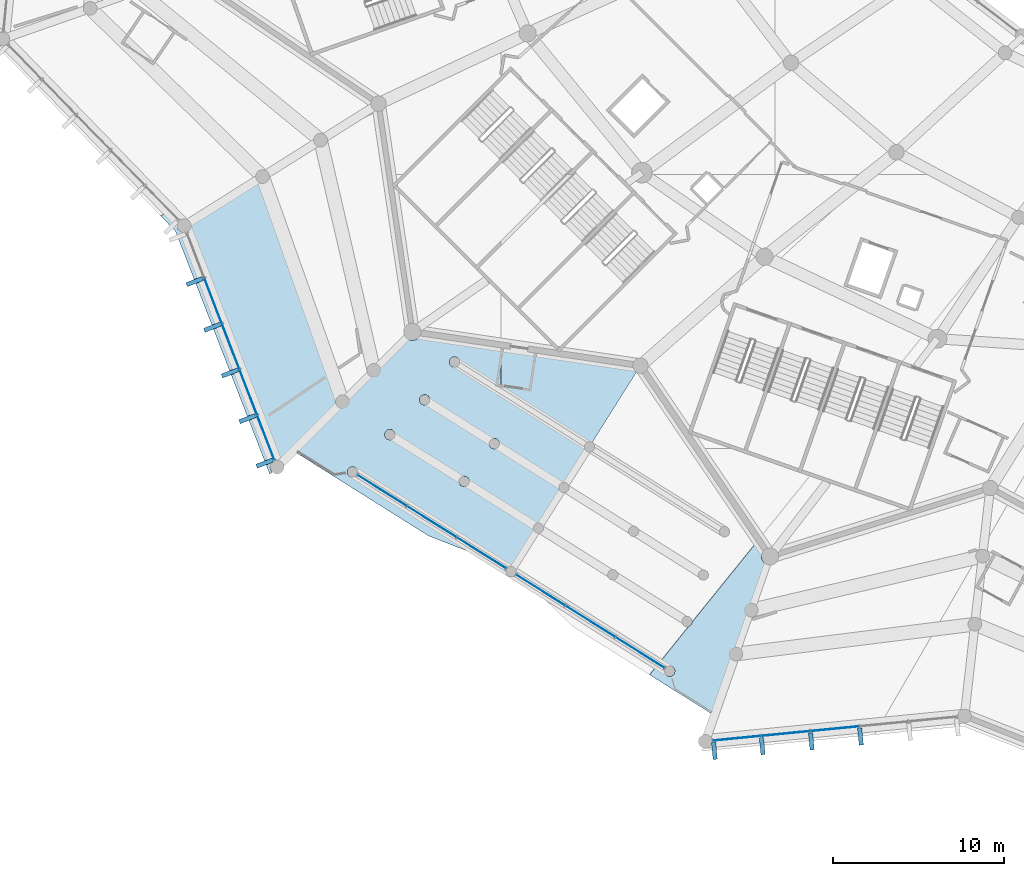
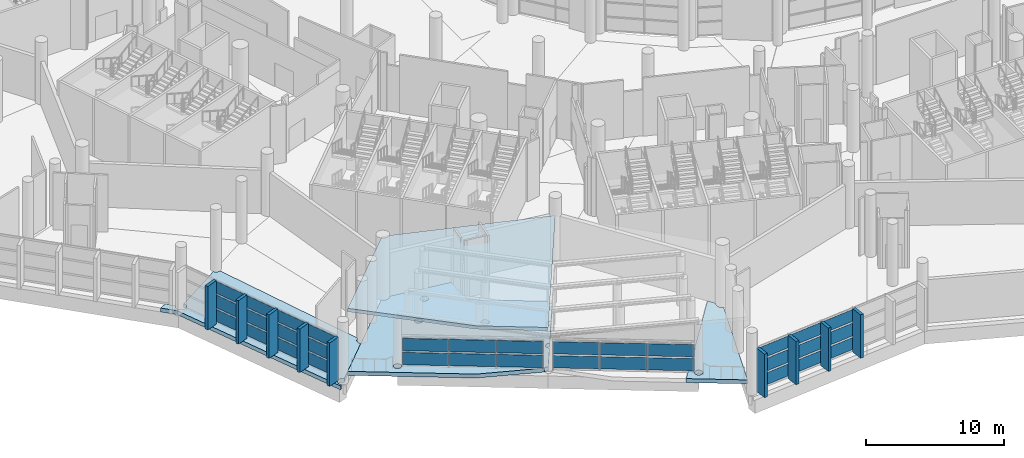
# One storey, part 113 of 271: 42 plates, 4 slabs, 4 elements without a shape of their own.
"""IFC4 building model written with IfcOpenShell, lengths in metres."""

import ifcopenshell
import ifcopenshell.guid

model = None  # the IFC model being written
_history = None  # IfcOwnerHistory: only IFC2X3 demands one
_inside = {}  # id of a spatial element -> (the spatial element, [elements in it])
_under = {}  # id of a project, library or spatial element -> (it, [spatial elements below it])
_declared = {}  # id of a project -> (the project, [libraries it declares])
_typed = {}  # id of a type object -> (the type object, [elements of that type])
_made_of = {}  # id of a material, layer set ... -> (it, [elements and type objects made of it])


def new_model(schema):
    """Start an empty IFC model of exactly this schema.

    Asked for "IFC4X3", IfcOpenShell would pick the latest addendum, in which some entities
    have other attributes; the version numbers below select the first issue.
    IFC2X3 requires an IfcOwnerHistory on every rooted entity: one is made here for all.
    """
    global model, _history
    if schema == "IFC4X3":
        model = ifcopenshell.file(schema_version=(4, 3, 0, 0))
    else:
        model = ifcopenshell.file(schema=schema)
    _inside.clear()
    _under.clear()
    _declared.clear()
    _typed.clear()
    _made_of.clear()
    _history = None
    if model.schema == "IFC2X3":
        org = make("IfcOrganization", Name="unknown")
        user = make(
            "IfcPersonAndOrganization",
            ThePerson=make("IfcPerson", FamilyName="unknown"),
            TheOrganization=org,
        )
        app = make(
            "IfcApplication",
            ApplicationDeveloper=org,
            Version="unknown",
            ApplicationFullName="unknown",
            ApplicationIdentifier="unknown",
        )
        _history = make(
            "IfcOwnerHistory",
            OwningUser=user,
            OwningApplication=app,
            ChangeAction="ADDED",
            CreationDate=0,
        )
    return model


def make(cls, **values):
    """One entity of the class cls with the attributes given. An attribute that is None is left unset."""
    return model.create_entity(
        cls, **{name: value for name, value in values.items() if value is not None}
    )


def rooted(cls, **values):
    """An entity with a GlobalId (a new one), such as an element, a storey or a relation."""
    return make(cls, GlobalId=ifcopenshell.guid.new(), OwnerHistory=_history, **values)


def si_unit(unit_type, name, prefix=None):
    """IfcSIUnit, for example si_unit("LENGTHUNIT", "METRE", prefix="MILLI")."""
    return make("IfcSIUnit", UnitType=unit_type, Prefix=prefix, Name=name)


def assignment(units):
    """IfcUnitAssignment: the units of a project."""
    return None if units is None else make("IfcUnitAssignment", Units=units)


def point(xyz):
    """IfcCartesianPoint."""
    return None if xyz is None else make("IfcCartesianPoint", Coordinates=xyz)


def direction(xyz):
    """IfcDirection."""
    return None if xyz is None else make("IfcDirection", DirectionRatios=xyz)


def frame(location, z_axis=None, x_axis=None):
    """IfcAxis2Placement3D, a coordinate frame: its origin and axes. An axis left out is left unset."""
    return make(
        "IfcAxis2Placement3D",
        Location=point(location),
        Axis=direction(z_axis),
        RefDirection=direction(x_axis),
    )


def frame_2d(location, x_axis=None):
    """IfcAxis2Placement2D, a coordinate frame in the plane: its origin and x axis."""
    return make(
        "IfcAxis2Placement2D", Location=point(location), RefDirection=direction(x_axis)
    )


def origin():
    """The frame at (0, 0, 0) with its axes left unset."""
    return frame((0.0, 0.0, 0.0))


def origin_2d():
    """The frame at (0, 0) in the plane with its x axis left unset."""
    return frame_2d((0.0, 0.0))


def place(relative_to, where):
    """IfcLocalPlacement: puts the frame where relative to a parent placement (None: the world)."""
    return make(
        "IfcLocalPlacement", PlacementRelTo=relative_to, RelativePlacement=where
    )


def context(
    kind, dimensions, precision=None, world=None, true_north=None, identifier=None
):
    """IfcGeometricRepresentationContext, for example the 3D "Model" context."""
    return make(
        "IfcGeometricRepresentationContext",
        ContextIdentifier=identifier,
        ContextType=kind,
        CoordinateSpaceDimension=dimensions,
        Precision=precision,
        WorldCoordinateSystem=world,
        TrueNorth=true_north,
    )


def subcontext(parent, identifier, kind, view, scale=None):
    """IfcGeometricRepresentationSubContext, for example "Body" below "Model"."""
    return make(
        "IfcGeometricRepresentationSubContext",
        ContextIdentifier=identifier,
        ContextType=kind,
        ParentContext=parent,
        TargetScale=scale,
        TargetView=view,
    )


def project(units=None, contexts=None):
    """IfcProject with its units and contexts."""
    return rooted(
        "IfcProject",
        Name="project",
        RepresentationContexts=contexts,
        UnitsInContext=assignment(units),
    )


def spatial(cls, under=None, at=None, **own):
    """A site, building, storey or space (cls), placed at a placement, below another one or the project."""
    s = rooted(cls, ObjectPlacement=at, **own)
    if under is not None:
        _under.setdefault(under.id(), (under, []))[1].append(s)
    return s


def polyline(points):
    """IfcPolyline through the points."""
    return make("IfcPolyline", Points=[point(p) for p in points])


def profile(cls, at=None, kind="AREA", **sizes):
    """A parametric profile (cls). Its sizes go by their IFC names, for example OverallWidth=200.0."""
    return make(cls, ProfileType=kind, Position=at, **sizes)


def rectangle(**sizes):
    """IfcRectangleProfileDef."""
    return profile("IfcRectangleProfileDef", **sizes)


def outline(outer, holes=None, kind="AREA"):
    """IfcArbitraryClosedProfileDef: a profile drawn as a closed curve; with holes, ...WithVoids."""
    if holes is None:
        return make("IfcArbitraryClosedProfileDef", ProfileType=kind, OuterCurve=outer)
    return make(
        "IfcArbitraryProfileDefWithVoids",
        ProfileType=kind,
        OuterCurve=outer,
        InnerCurves=holes,
    )


def extrude(swept, where, along, depth):
    """IfcExtrudedAreaSolid: the profile swept, set in the frame where, extruded along a direction by depth."""
    return make(
        "IfcExtrudedAreaSolid",
        SweptArea=swept,
        Position=where,
        ExtrudedDirection=direction(along),
        Depth=depth,
    )


def shape(context_of_items, identifier, shape_type, items):
    """IfcShapeRepresentation: the items that make up one representation, for example the "Body"."""
    return make(
        "IfcShapeRepresentation",
        ContextOfItems=context_of_items,
        RepresentationIdentifier=identifier,
        RepresentationType=shape_type,
        Items=items,
    )


def material(Name=None, Category=None):
    """IfcMaterial."""
    return make("IfcMaterial", Name=Name, Category=Category)


def layer(
    of_material, thickness, ventilated=None, Name=None, Category=None, Priority=None
):
    """IfcMaterialLayer: one layer of a wall or slab, of a material (None: an air gap)."""
    return make(
        "IfcMaterialLayer",
        Material=of_material,
        LayerThickness=thickness,
        IsVentilated=ventilated,
        Name=Name,
        Category=Category,
        Priority=Priority,
    )


def layer_set(layers, Name=None):
    """IfcMaterialLayerSet."""
    return make("IfcMaterialLayerSet", MaterialLayers=layers, LayerSetName=Name)


def made_of(thing, what):
    """Note that an element or type object is made of a material, layer set ...; save() writes the relation."""
    if what is not None:
        _made_of.setdefault(what.id(), (what, []))[1].append(thing)
    return thing


def type_object(cls, material=None, **own):
    """A type object (cls), such as IfcWallType, which elements share."""
    return made_of(rooted(cls, **own), material)


def element(
    cls,
    number,
    at=None,
    inside=None,
    cuts=None,
    type_object=None,
    material=None,
    context=None,
    identifier="Body",
    shape_type=None,
    held_by="IfcProductDefinitionShape",
    body=None,
    shapes=None,
    **own,
):
    """One element of the class cls, such as IfcWall. Its Tag is "e" and its number.

    at: its placement. inside: the storey or other place that contains it. cuts: it is an
    opening in that element (IfcRelVoidsElement). A single representation is given by context,
    identifier, shape_type and body (its items); several are given by shapes. held_by: the class
    of the entity that holds the representations. save() writes the other relations.
    """
    e = rooted(cls, Tag="e%d" % number, ObjectPlacement=at, **own)
    if body is not None:
        shapes = [shape(context, identifier, shape_type, body)]
    if shapes is not None:
        e.Representation = make(held_by, Representations=shapes)
    if inside is not None:
        _inside.setdefault(inside.id(), (inside, []))[1].append(e)
    if cuts is not None:
        rooted(
            "IfcRelVoidsElement", RelatingBuildingElement=cuts, RelatedOpeningElement=e
        )
    if type_object is not None:
        _typed.setdefault(type_object.id(), (type_object, []))[1].append(e)
    return made_of(e, material)


def aggregate(whole, parts):
    """IfcRelAggregates: a whole, such as a stair, and the parts it consists of."""
    return rooted("IfcRelAggregates", RelatingObject=whole, RelatedObjects=parts)


def save(model, path):
    """Write the relations noted so far, then the file.

    IfcRelAggregates (storeys below a building ...), IfcRelContainedInSpatialStructure (elements
    in a storey), IfcRelDefinesByType, IfcRelAssociatesMaterial and IfcRelDeclares: one each for
    every whole, place, type object, material and project.
    """
    for whole, parts in _under.values():
        aggregate(whole, parts)
    for where, things in _inside.values():
        rooted(
            "IfcRelContainedInSpatialStructure",
            RelatedElements=things,
            RelatingStructure=where,
        )
    for kind, things in _typed.values():
        rooted("IfcRelDefinesByType", RelatedObjects=things, RelatingType=kind)
    for what, things in _made_of.values():
        rooted("IfcRelAssociatesMaterial", RelatedObjects=things, RelatingMaterial=what)
    for by, libraries in _declared.values():
        rooted("IfcRelDeclares", RelatingContext=by, RelatedDefinitions=libraries)
    model.write(path)


model = new_model("IFC4")

# Units and contexts
model_context = context("Model", 3, precision=1e-05, world=origin(), true_north=direction((0.0, 1.0)))
body_context = subcontext(model_context, "Body", "Model", "MODEL_VIEW")
ifc_project = project(units=[si_unit("LENGTHUNIT", "METRE"), si_unit("AREAUNIT", "SQUARE_METRE"), si_unit("VOLUMEUNIT", "CUBIC_METRE"), si_unit("PLANEANGLEUNIT", "RADIAN"), si_unit("MASSUNIT", "GRAM", prefix="KILO")], contexts=[model_context])

# Site, building, storey
site_placement = place(None, origin())
site = spatial("IfcSite", under=ifc_project, at=site_placement, CompositionType="ELEMENT")
building_placement = place(site_placement, origin())
building = spatial("IfcBuilding", under=site, at=building_placement, Name="Meseta Stadium", CompositionType="ELEMENT")
storey_placement = place(building_placement, frame((0.0, 0.0, 6.5)))
storey = spatial("IfcBuildingStorey", under=building, at=storey_placement, Name="L01", CompositionType="ELEMENT", Elevation=6.5)

# Slabs
ifc_material_1 = material(Name="Concrete C40/50", Category="concrete")
ifc_layer_1 = layer(ifc_material_1, 0.35009765625)
ifc_layer_set_1 = layer_set([ifc_layer_1], Name="Floor slab 350")
slab_type_1 = type_object("IfcSlabType", Name="Floor slab 350", PredefinedType="FLOOR", material=ifc_layer_set_1)
slab_1_placement = place(storey_placement, frame((0.0, 0.0, -0.35009765625)))
element("IfcSlab", 1, at=slab_1_placement, inside=storey, type_object=slab_type_1, Name="Ring floor slab L01 5 part 2 panel 05", PredefinedType="FLOOR", context=body_context, shape_type="SweptSolid", body=[
    extrude(outline(polyline([(-98.900390625, -82.986083984375), (-98.88671875, -82.881591796875), (-98.84619140625, -82.7841796875), (-98.7822265625, -82.70068359375), (-98.77734375, -82.697021484375), (-99.322998046875, -82.135009765625), (-99.877197265625, -82.401611328125), (-99.0048828125, -83.30517578125), (-93.49755859375, -97.49755859375), (-93.3583984375, -97.3583984375), (-93.422607421875, -97.27490234375), (-93.462890625, -97.177490234375), (-93.476806640625, -97.0732421875), (-93.462890625, -96.96875), (-93.422607421875, -96.87158203125), (-93.3583984375, -96.787841796875), (-93.27490234375, -96.723876953125), (-93.217041015625, -96.69970703125), (-93.177490234375, -96.68359375), (-93.0732421875, -96.669921875), (-92.96875, -96.68359375), (-92.87158203125, -96.723876953125), (-92.787841796875, -96.787841796875), (-89.5400390625, -93.5400390625), (-89.604248046875, -93.45654296875), (-89.64453125, -93.359375), (-89.658203125, -93.2548828125), (-89.64453125, -93.150390625), (-89.604248046875, -93.052978515625), (-89.5400390625, -92.969482421875), (-89.45654296875, -92.905517578125), (-89.388916015625, -92.87744140625), (-93.79052734375, -80.490478515625), (-93.8203125, -80.502685546875), (-93.924560546875, -80.5166015625), (-94.029052734375, -80.502685546875), (-94.126220703125, -80.46240234375), (-94.2099609375, -80.398193359375), (-94.264892578125, -80.32666015625), (-98.15673828125, -82.772216796875), (-98.1474609375, -82.7841796875), (-98.107177734375, -82.881591796875), (-98.093505859375, -82.986083984375), (-98.107177734375, -83.09033203125), (-98.1474609375, -83.187744140625), (-98.211669921875, -83.271240234375), (-98.295166015625, -83.33544921875), (-98.392578125, -83.375732421875), (-98.496826171875, -83.389404296875), (-98.601318359375, -83.375732421875), (-98.698486328125, -83.33544921875), (-98.7822265625, -83.271240234375), (-98.84619140625, -83.187744140625), (-98.88671875, -83.09033203125), (-98.900390625, -82.986083984375)])), origin(), (0.0, 0.0, 1.0), 0.35009765625),
])
slab_2_placement = place(storey_placement, frame((0.0, 0.0, -0.35009765625)))
element("IfcSlab", 2, at=slab_2_placement, inside=storey, type_object=slab_type_1, Name="Gate hall floor slab 6 part 1 panel 01", PredefinedType="FLOOR", context=body_context, shape_type="SweptSolid", body=[
    extrude(outline(polyline([(-77.7373046875, -100.341796875), (-77.664306640625, -100.3720703125), (-77.6552734375, -100.37890625), (-76.486083984375, -98.518310546875), (-76.539794921875, -98.477294921875), (-76.587890625, -98.41455078125), (-76.6181640625, -98.341552734375), (-76.62841796875, -98.26318359375), (-76.6181640625, -98.18505859375), (-76.587890625, -98.112060546875), (-76.539794921875, -98.04931640625), (-76.47705078125, -98.001220703125), (-76.404052734375, -97.970947265625), (-76.32568359375, -97.960693359375), (-76.24755859375, -97.970947265625), (-76.174560546875, -98.001220703125), (-76.16552734375, -98.008056640625), (-74.996337890625, -96.147705078125), (-75.050048828125, -96.1064453125), (-75.09814453125, -96.043701171875), (-75.12841796875, -95.970703125), (-75.138671875, -95.892578125), (-75.12841796875, -95.814208984375), (-75.09814453125, -95.7412109375), (-75.09130859375, -95.732177734375), (-80.0, -92.647705078125), (-80.0, -90.123779296875), (-84.73486328125, -89.4208984375), (-84.737060546875, -89.42578125), (-84.817138671875, -89.5302734375), (-84.921630859375, -89.610595703125), (-85.043212890625, -89.660888671875), (-85.173583984375, -89.677978515625), (-85.30419921875, -89.660888671875), (-85.42578125, -89.610595703125), (-85.5302734375, -89.5302734375), (-92.12841796875, -96.12841796875), (-84.220458984375, -101.09765625), (-79.5537109375, -102.908447265625), (-79.489990234375, -102.882080078125), (-79.41162109375, -102.87158203125), (-79.333251953125, -102.882080078125), (-79.26025390625, -102.912109375), (-79.251220703125, -102.919189453125), (-77.975830078125, -100.889404296875), (-78.029541015625, -100.84814453125), (-78.07763671875, -100.785400390625), (-78.10791015625, -100.71240234375), (-78.1181640625, -100.634033203125), (-78.10791015625, -100.555908203125), (-78.07763671875, -100.48291015625), (-78.029541015625, -100.420166015625), (-77.966796875, -100.3720703125), (-77.893798828125, -100.341796875), (-77.8154296875, -100.33154296875), (-77.7373046875, -100.341796875)]), holes=[polyline([(-80.47265625, -95.999267578125), (-80.545654296875, -95.968994140625), (-80.608154296875, -95.9208984375), (-80.65625, -95.858154296875), (-80.6865234375, -95.78515625), (-80.697021484375, -95.706787109375), (-80.6865234375, -95.628662109375), (-80.65625, -95.5556640625), (-80.608154296875, -95.492919921875), (-80.545654296875, -95.44482421875), (-80.47265625, -95.41455078125), (-80.394287109375, -95.404296875), (-80.31591796875, -95.41455078125), (-80.242919921875, -95.44482421875), (-80.180419921875, -95.492919921875), (-80.132080078125, -95.5556640625), (-80.10205078125, -95.628662109375), (-80.091796875, -95.706787109375), (-80.10205078125, -95.78515625), (-80.132080078125, -95.858154296875), (-80.180419921875, -95.9208984375), (-80.242919921875, -95.968994140625), (-80.31591796875, -95.999267578125), (-80.394287109375, -96.009521484375), (-80.47265625, -95.999267578125)]), polyline([(-82.44677734375, -97.986083984375), (-82.45703125, -97.90771484375), (-82.44677734375, -97.829345703125), (-82.41650390625, -97.75634765625), (-82.368408203125, -97.69384765625), (-82.305908203125, -97.645751953125), (-82.23291015625, -97.615478515625), (-82.154541015625, -97.60498046875), (-82.076171875, -97.615478515625), (-82.003173828125, -97.645751953125), (-81.940673828125, -97.69384765625), (-81.892578125, -97.75634765625), (-81.8623046875, -97.829345703125), (-81.85205078125, -97.90771484375), (-81.8623046875, -97.986083984375), (-81.892578125, -98.05908203125), (-81.940673828125, -98.12158203125), (-82.003173828125, -98.169921875), (-82.076171875, -98.199951171875), (-82.154541015625, -98.210205078125), (-82.23291015625, -98.199951171875), (-82.305908203125, -98.169921875), (-82.368408203125, -98.12158203125), (-82.41650390625, -98.05908203125), (-82.44677734375, -97.986083984375)]), polyline([(-88.51806640625, -97.09521484375), (-88.45556640625, -97.143310546875), (-88.407470703125, -97.205810546875), (-88.377197265625, -97.27880859375), (-88.36669921875, -97.357177734375), (-88.377197265625, -97.435546875), (-88.407470703125, -97.508544921875), (-88.45556640625, -97.5712890625), (-88.51806640625, -97.619384765625), (-88.591064453125, -97.6494140625), (-88.66943359375, -97.659912109375), (-88.747802734375, -97.6494140625), (-88.82080078125, -97.619384765625), (-88.88330078125, -97.5712890625), (-88.931396484375, -97.508544921875), (-88.961669921875, -97.435546875), (-88.971923828125, -97.357177734375), (-88.961669921875, -97.27880859375), (-88.931396484375, -97.205810546875), (-88.88330078125, -97.143310546875), (-88.82080078125, -97.09521484375), (-88.747802734375, -97.06494140625), (-88.66943359375, -97.0546875), (-88.591064453125, -97.06494140625), (-88.51806640625, -97.09521484375)]), polyline([(-86.201416015625, -95.259521484375), (-86.2314453125, -95.33251953125), (-86.279541015625, -95.395263671875), (-86.34228515625, -95.443359375), (-86.415283203125, -95.4736328125), (-86.49365234375, -95.48388671875), (-86.572021484375, -95.4736328125), (-86.64501953125, -95.443359375), (-86.70751953125, -95.395263671875), (-86.755615234375, -95.33251953125), (-86.785888671875, -95.259521484375), (-86.796142578125, -95.181396484375), (-86.785888671875, -95.10302734375), (-86.755615234375, -95.030029296875), (-86.70751953125, -94.96728515625), (-86.64501953125, -94.919189453125), (-86.572021484375, -94.88916015625), (-86.49365234375, -94.878662109375), (-86.415283203125, -94.88916015625), (-86.34228515625, -94.919189453125), (-86.279541015625, -94.96728515625), (-86.2314453125, -95.030029296875), (-86.201416015625, -95.10302734375), (-86.19091796875, -95.181396484375), (-86.201416015625, -95.259521484375)]), polyline([(-84.16015625, -93.150390625), (-84.17041015625, -93.228759765625), (-84.20068359375, -93.3017578125), (-84.248779296875, -93.364501953125), (-84.3115234375, -93.41259765625), (-84.384521484375, -93.44287109375), (-84.462646484375, -93.453125), (-84.541015625, -93.44287109375), (-84.614013671875, -93.41259765625), (-84.6767578125, -93.364501953125), (-84.724853515625, -93.3017578125), (-84.7548828125, -93.228759765625), (-84.765380859375, -93.150390625), (-84.7548828125, -93.072265625), (-84.724853515625, -92.999267578125), (-84.6767578125, -92.9365234375), (-84.614013671875, -92.888427734375), (-84.541015625, -92.858154296875), (-84.462646484375, -92.847900390625), (-84.384521484375, -92.858154296875), (-84.3115234375, -92.888427734375), (-84.248779296875, -92.9365234375), (-84.20068359375, -92.999267578125), (-84.17041015625, -93.072265625), (-84.16015625, -93.150390625)]), polyline([(-82.42724609375, -91.017333984375), (-82.45751953125, -91.09033203125), (-82.505615234375, -91.153076171875), (-82.568115234375, -91.201171875), (-82.64111328125, -91.231201171875), (-82.719482421875, -91.24169921875), (-82.7978515625, -91.231201171875), (-82.870849609375, -91.201171875), (-82.933349609375, -91.153076171875), (-82.9814453125, -91.09033203125), (-83.01171875, -91.017333984375), (-83.022216796875, -90.93896484375), (-83.01171875, -90.860595703125), (-82.9814453125, -90.78759765625), (-82.933349609375, -90.72509765625), (-82.870849609375, -90.677001953125), (-82.7978515625, -90.646728515625), (-82.719482421875, -90.636474609375), (-82.64111328125, -90.646728515625), (-82.568115234375, -90.677001953125), (-82.505615234375, -90.72509765625), (-82.45751953125, -90.78759765625), (-82.42724609375, -90.860595703125), (-82.4169921875, -90.93896484375), (-82.42724609375, -91.017333984375)])]), origin(), (0.0, 0.0, 1.0), 0.35009765625),
])
slab_3_placement = place(storey_placement, frame((0.0, 0.0, -0.35009765625)))
element("IfcSlab", 3, at=slab_3_placement, inside=storey, type_object=slab_type_1, Name="Gate hall floor slab 6 part 2", PredefinedType="FLOOR", context=body_context, shape_type="SweptSolid", body=[
    extrude(outline(polyline([(-64.708740234375, -102.005615234375), (-65.079833984375, -101.458740234375), (-68.8388671875, -106.116455078125), (-68.84521484375, -106.165283203125), (-68.87548828125, -106.23828125), (-68.923583984375, -106.30078125), (-68.986083984375, -106.348876953125), (-69.046630859375, -106.3740234375), (-71.326904296875, -109.19921875), (-67.5458984375, -111.57470703125), (-64.462890625, -102.763916015625), (-64.549560546875, -102.727783203125), (-64.654052734375, -102.647705078125), (-64.734130859375, -102.543212890625), (-64.78466796875, -102.421630859375), (-64.8017578125, -102.291015625), (-64.78466796875, -102.16064453125), (-64.734130859375, -102.0390625), (-64.708740234375, -102.005615234375)]), holes=[polyline([(-69.939697265625, -109.205322265625), (-70.00244140625, -109.25341796875), (-70.075439453125, -109.28369140625), (-70.15380859375, -109.2939453125), (-70.232177734375, -109.28369140625), (-70.30517578125, -109.25341796875), (-70.367919921875, -109.205322265625), (-70.415771484375, -109.142578125), (-70.446044921875, -109.069580078125), (-70.456298828125, -108.991455078125), (-70.446044921875, -108.9130859375), (-70.415771484375, -108.840087890625), (-70.367919921875, -108.77734375), (-70.30517578125, -108.729248046875), (-70.232177734375, -108.69921875), (-70.15380859375, -108.688720703125), (-70.075439453125, -108.69921875), (-70.00244140625, -108.729248046875), (-69.939697265625, -108.77734375), (-69.8916015625, -108.840087890625), (-69.861572265625, -108.9130859375), (-69.851318359375, -108.991455078125), (-69.861572265625, -109.069580078125), (-69.8916015625, -109.142578125), (-69.939697265625, -109.205322265625)])]), origin(), (0.0, 0.0, 1.0), 0.35009765625),
])
ifc_material_2 = material(Name="Concrete C40/50", Category="concrete")
ifc_layer_2 = layer(ifc_material_2, 0.300048828125)
ifc_layer_set_2 = layer_set([ifc_layer_2], Name="Gate roof plate 300")
slab_type_2 = type_object("IfcSlabType", Name="Gate roof plate 300", PredefinedType="ROOF", material=ifc_layer_set_2)
slab_4_placement = place(storey_placement, frame((-79.30517578125, -103.0048828125, 3.566650390625), z_axis=(0.106827842606, -0.090517582517, 0.990148665252), x_axis=(0.531930741371, 0.846551648501, 0.019999820104)))
element("IfcSlab", 4, at=slab_4_placement, inside=storey, type_object=slab_type_2, Name="Gate 6 butterfly roof wing", PredefinedType="ROOF", context=body_context, shape_type="SweptSolid", body=[
    extrude(outline(polyline([(0.0, 0.0), (13.806297728618766, 6.800116025829084e-16), (8.406571376629177, 12.498249387960426), (-0.9595502955989375, 14.65774707481892), (-0.9859327776136914, 5.227036017428571), (0.0, 0.0)])), origin(), (0.0, 0.0, -1.0), 0.300048828125),
])

# Curtain wall, plates
ifc_material_3 = material(Name="Aluminium", Category="aluminium")
ifc_layer_3 = layer(ifc_material_3, 0.199951171875)
ifc_layer_set_3 = layer_set([ifc_layer_3], Name="Ring shopfront curtain wall")
curtain_wall_type_1 = type_object("IfcCurtainWallType", Name="Ring shopfront curtain wall", PredefinedType="NOTDEFINED", material=ifc_layer_set_3)
curtain_wall_1_placement = place(storey_placement, origin())
curtain_wall_1 = element("IfcCurtainWall", 5, at=curtain_wall_1_placement, inside=storey, type_object=curtain_wall_type_1, Name="Ring glazing L01 F39", PredefinedType="NOTDEFINED")
ifc_material_4 = material(Name="Glass", Category="glass")
ifc_layer_4 = layer(ifc_material_4, 0.035888671875)
ifc_layer_set_4 = layer_set([ifc_layer_4], Name="Ring CW glass panel 36")
plate_type_1 = type_object("IfcPlateType", Name="Ring CW glass panel 36", PredefinedType="CURTAIN_PANEL", material=ifc_layer_set_4)
plate_1_placement = place(storey_placement, frame((-96.812255859375, -87.361572265625, 0.14990234375), z_axis=(0.0, 0.0, 1.0), x_axis=(0.359302033734, -0.933221328815, 0.0)))
plate_1 = element("IfcPlate", 6, at=plate_1_placement, type_object=plate_type_1, Name="CWR1 panel 2.1", PredefinedType="CURTAIN_PANEL", context=body_context, shape_type="SweptSolid", body=[
    extrude(rectangle(XDim=2.799072265625, YDim=0.035888671875, at=origin_2d()), origin(), (0.0, 0.0, 1.0), 1.058349609375),
])
plate_2_placement = place(storey_placement, frame((-96.812255859375, -87.361572265625, 1.3583984375), z_axis=(0.0, 0.0, 1.0), x_axis=(0.359302033734, -0.933221328815, 0.0)))
plate_2 = element("IfcPlate", 7, at=plate_2_placement, type_object=plate_type_1, Name="CWR1 panel 2.2", PredefinedType="CURTAIN_PANEL", context=body_context, shape_type="SweptSolid", body=[
    extrude(rectangle(XDim=2.799072265625, YDim=0.035888671875, at=origin_2d()), origin(), (0.0, 0.0, 1.0), 1.13330078125),
])
plate_3_placement = place(storey_placement, frame((-96.812255859375, -87.361572265625, 2.6416015625), z_axis=(0.0, 0.0, 1.0), x_axis=(0.359302033734, -0.933221328815, 0.0)))
plate_3 = element("IfcPlate", 8, at=plate_3_placement, type_object=plate_type_1, Name="CWR1 panel 2.3", PredefinedType="CURTAIN_PANEL", context=body_context, shape_type="SweptSolid", body=[
    extrude(rectangle(XDim=2.799072265625, YDim=0.035888671875, at=origin_2d()), origin(), (0.0, 0.0, 1.0), 1.058349609375),
])
plate_4_placement = place(storey_placement, frame((-95.78515625, -90.029541015625, 0.14990234375), z_axis=(0.0, 0.0, 1.0), x_axis=(0.359302033734, -0.933221328815, 0.0)))
plate_4 = element("IfcPlate", 9, at=plate_4_placement, type_object=plate_type_1, Name="CWR1 panel 3.1", PredefinedType="CURTAIN_PANEL", context=body_context, shape_type="SweptSolid", body=[
    extrude(rectangle(XDim=2.799072265625, YDim=0.035888671875, at=origin_2d()), origin(), (0.0, 0.0, 1.0), 1.058349609375),
])
plate_5_placement = place(storey_placement, frame((-95.78515625, -90.029541015625, 1.3583984375), z_axis=(0.0, 0.0, 1.0), x_axis=(0.359302033734, -0.933221328815, 0.0)))
plate_5 = element("IfcPlate", 10, at=plate_5_placement, type_object=plate_type_1, Name="CWR1 panel 3.2", PredefinedType="CURTAIN_PANEL", context=body_context, shape_type="SweptSolid", body=[
    extrude(rectangle(XDim=2.799072265625, YDim=0.035888671875, at=origin_2d()), origin(), (0.0, 0.0, 1.0), 1.13330078125),
])
plate_6_placement = place(storey_placement, frame((-95.78515625, -90.029541015625, 2.6416015625), z_axis=(0.0, 0.0, 1.0), x_axis=(0.359302033734, -0.933221328815, 0.0)))
plate_6 = element("IfcPlate", 11, at=plate_6_placement, type_object=plate_type_1, Name="CWR1 panel 3.3", PredefinedType="CURTAIN_PANEL", context=body_context, shape_type="SweptSolid", body=[
    extrude(rectangle(XDim=2.799072265625, YDim=0.035888671875, at=origin_2d()), origin(), (0.0, 0.0, 1.0), 1.058349609375),
])
plate_7_placement = place(storey_placement, frame((-94.7578125, -92.69775390625, 0.14990234375), z_axis=(0.0, 0.0, 1.0), x_axis=(0.359302033734, -0.933221328815, 0.0)))
plate_7 = element("IfcPlate", 12, at=plate_7_placement, type_object=plate_type_1, Name="CWR1 panel 4.1", PredefinedType="CURTAIN_PANEL", context=body_context, shape_type="SweptSolid", body=[
    extrude(rectangle(XDim=2.799072265625, YDim=0.035888671875, at=origin_2d()), origin(), (0.0, 0.0, 1.0), 1.058349609375),
])
plate_8_placement = place(storey_placement, frame((-94.7578125, -92.69775390625, 1.3583984375), z_axis=(0.0, 0.0, 1.0), x_axis=(0.359302033734, -0.933221328815, 0.0)))
plate_8 = element("IfcPlate", 13, at=plate_8_placement, type_object=plate_type_1, Name="CWR1 panel 4.2", PredefinedType="CURTAIN_PANEL", context=body_context, shape_type="SweptSolid", body=[
    extrude(rectangle(XDim=2.799072265625, YDim=0.035888671875, at=origin_2d()), origin(), (0.0, 0.0, 1.0), 1.13330078125),
])
plate_9_placement = place(storey_placement, frame((-94.7578125, -92.69775390625, 2.6416015625), z_axis=(0.0, 0.0, 1.0), x_axis=(0.359302033734, -0.933221328815, 0.0)))
plate_9 = element("IfcPlate", 14, at=plate_9_placement, type_object=plate_type_1, Name="CWR1 panel 4.3", PredefinedType="CURTAIN_PANEL", context=body_context, shape_type="SweptSolid", body=[
    extrude(rectangle(XDim=2.799072265625, YDim=0.035888671875, at=origin_2d()), origin(), (0.0, 0.0, 1.0), 1.058349609375),
])
plate_10_placement = place(storey_placement, frame((-93.73583984375, -95.351806640625, 0.14990234375), z_axis=(0.0, 0.0, 1.0), x_axis=(0.359302033734, -0.933221328815, 0.0)))
plate_10 = element("IfcPlate", 15, at=plate_10_placement, type_object=plate_type_1, Name="CWR1 panel 5.1", PredefinedType="CURTAIN_PANEL", context=body_context, shape_type="SweptSolid", body=[
    extrude(rectangle(XDim=2.76904296875, YDim=0.035888671875, at=origin_2d()), origin(), (0.0, 0.0, 1.0), 1.058349609375),
])
plate_11_placement = place(storey_placement, frame((-93.73583984375, -95.351806640625, 1.3583984375), z_axis=(0.0, 0.0, 1.0), x_axis=(0.359302033734, -0.933221328815, 0.0)))
plate_11 = element("IfcPlate", 16, at=plate_11_placement, type_object=plate_type_1, Name="CWR1 panel 5.2", PredefinedType="CURTAIN_PANEL", context=body_context, shape_type="SweptSolid", body=[
    extrude(rectangle(XDim=2.76904296875, YDim=0.035888671875, at=origin_2d()), origin(), (0.0, 0.0, 1.0), 1.13330078125),
])
plate_12_placement = place(storey_placement, frame((-93.73583984375, -95.351806640625, 2.6416015625), z_axis=(0.0, 0.0, 1.0), x_axis=(0.359302033734, -0.933221328815, 0.0)))
plate_12 = element("IfcPlate", 17, at=plate_12_placement, type_object=plate_type_1, Name="CWR1 panel 5.3", PredefinedType="CURTAIN_PANEL", context=body_context, shape_type="SweptSolid", body=[
    extrude(rectangle(XDim=2.76904296875, YDim=0.035888671875, at=origin_2d()), origin(), (0.0, 0.0, 1.0), 1.058349609375),
])
aggregate(curtain_wall_1, [plate_1, plate_2, plate_3, plate_4, plate_5, plate_6, plate_7, plate_8, plate_9, plate_10, plate_11, plate_12])

curtain_wall_2_placement = place(storey_placement, origin())
curtain_wall_2 = element("IfcCurtainWall", 18, at=curtain_wall_2_placement, inside=storey, type_object=curtain_wall_type_1, Name="Ring glazing L01 F42", PredefinedType="NOTDEFINED")
plate_13_placement = place(storey_placement, frame((-66.228271484375, -112.90673828125, 0.14990234375), z_axis=(0.0, 0.0, 1.0), x_axis=(0.995272228282, 0.097124618973, 0.0)))
plate_13 = element("IfcPlate", 19, at=plate_13_placement, type_object=plate_type_1, Name="CWR1 panel 1.1", PredefinedType="CURTAIN_PANEL", context=body_context, shape_type="SweptSolid", body=[
    extrude(rectangle(XDim=2.791015625, YDim=0.035888671875, at=origin_2d()), origin(), (0.0, 0.0, 1.0), 1.058349609375),
])
plate_14_placement = place(storey_placement, frame((-66.228271484375, -112.90673828125, 1.3583984375), z_axis=(0.0, 0.0, 1.0), x_axis=(0.995272228282, 0.097124618973, 0.0)))
plate_14 = element("IfcPlate", 20, at=plate_14_placement, type_object=plate_type_1, Name="CWR1 panel 1.2", PredefinedType="CURTAIN_PANEL", context=body_context, shape_type="SweptSolid", body=[
    extrude(rectangle(XDim=2.791015625, YDim=0.035888671875, at=origin_2d()), origin(), (0.0, 0.0, 1.0), 1.13330078125),
])
plate_15_placement = place(storey_placement, frame((-66.228271484375, -112.90673828125, 2.6416015625), z_axis=(0.0, 0.0, 1.0), x_axis=(0.995272228282, 0.097124618973, 0.0)))
plate_15 = element("IfcPlate", 21, at=plate_15_placement, type_object=plate_type_1, Name="CWR1 panel 1.3", PredefinedType="CURTAIN_PANEL", context=body_context, shape_type="SweptSolid", body=[
    extrude(rectangle(XDim=2.791015625, YDim=0.035888671875, at=origin_2d()), origin(), (0.0, 0.0, 1.0), 1.058349609375),
])
plate_16_placement = place(storey_placement, frame((-63.3759765625, -112.62841796875, 0.14990234375), z_axis=(0.0, 0.0, 1.0), x_axis=(0.995272228282, 0.097124618973, 0.0)))
plate_16 = element("IfcPlate", 22, at=plate_16_placement, type_object=plate_type_1, Name="CWR1 panel 2.1", PredefinedType="CURTAIN_PANEL", context=body_context, shape_type="SweptSolid", body=[
    extrude(rectangle(XDim=2.821044921875, YDim=0.035888671875, at=origin_2d()), origin(), (0.0, 0.0, 1.0), 1.058349609375),
])
plate_17_placement = place(storey_placement, frame((-63.3759765625, -112.62841796875, 1.3583984375), z_axis=(0.0, 0.0, 1.0), x_axis=(0.995272228282, 0.097124618973, 0.0)))
plate_17 = element("IfcPlate", 23, at=plate_17_placement, type_object=plate_type_1, Name="CWR1 panel 2.2", PredefinedType="CURTAIN_PANEL", context=body_context, shape_type="SweptSolid", body=[
    extrude(rectangle(XDim=2.821044921875, YDim=0.035888671875, at=origin_2d()), origin(), (0.0, 0.0, 1.0), 1.13330078125),
])
plate_18_placement = place(storey_placement, frame((-63.3759765625, -112.62841796875, 2.6416015625), z_axis=(0.0, 0.0, 1.0), x_axis=(0.995272228282, 0.097124618973, 0.0)))
plate_18 = element("IfcPlate", 24, at=plate_18_placement, type_object=plate_type_1, Name="CWR1 panel 2.3", PredefinedType="CURTAIN_PANEL", context=body_context, shape_type="SweptSolid", body=[
    extrude(rectangle(XDim=2.821044921875, YDim=0.035888671875, at=origin_2d()), origin(), (0.0, 0.0, 1.0), 1.058349609375),
])
plate_19_placement = place(storey_placement, frame((-60.508544921875, -112.3486328125, 0.14990234375), z_axis=(0.0, 0.0, 1.0), x_axis=(0.995272228282, 0.097124618973, 0.0)))
plate_19 = element("IfcPlate", 25, at=plate_19_placement, type_object=plate_type_1, Name="CWR1 panel 3.1", PredefinedType="CURTAIN_PANEL", context=body_context, shape_type="SweptSolid", body=[
    extrude(rectangle(XDim=2.821044921875, YDim=0.035888671875, at=origin_2d()), origin(), (0.0, 0.0, 1.0), 1.058349609375),
])
plate_20_placement = place(storey_placement, frame((-60.508544921875, -112.3486328125, 1.3583984375), z_axis=(0.0, 0.0, 1.0), x_axis=(0.995272228282, 0.097124618973, 0.0)))
plate_20 = element("IfcPlate", 26, at=plate_20_placement, type_object=plate_type_1, Name="CWR1 panel 3.2", PredefinedType="CURTAIN_PANEL", context=body_context, shape_type="SweptSolid", body=[
    extrude(rectangle(XDim=2.821044921875, YDim=0.035888671875, at=origin_2d()), origin(), (0.0, 0.0, 1.0), 1.13330078125),
])
plate_21_placement = place(storey_placement, frame((-60.508544921875, -112.3486328125, 2.6416015625), z_axis=(0.0, 0.0, 1.0), x_axis=(0.995272228282, 0.097124618973, 0.0)))
plate_21 = element("IfcPlate", 27, at=plate_21_placement, type_object=plate_type_1, Name="CWR1 panel 3.3", PredefinedType="CURTAIN_PANEL", context=body_context, shape_type="SweptSolid", body=[
    extrude(rectangle(XDim=2.821044921875, YDim=0.035888671875, at=origin_2d()), origin(), (0.0, 0.0, 1.0), 1.058349609375),
])
aggregate(curtain_wall_2, [plate_13, plate_14, plate_15, plate_16, plate_17, plate_18, plate_19, plate_20, plate_21])

ifc_material_5 = material(Name="Aluminium", Category="aluminium")
ifc_layer_5 = layer(ifc_material_5, 0.199951171875)
ifc_layer_set_5 = layer_set([ifc_layer_5], Name="Gate hall curtain wall")
curtain_wall_type_2 = type_object("IfcCurtainWallType", Name="Gate hall curtain wall", PredefinedType="NOTDEFINED", material=ifc_layer_set_5)
curtain_wall_3_placement = place(storey_placement, origin())
curtain_wall_3 = element("IfcCurtainWall", 28, at=curtain_wall_3_placement, inside=storey, type_object=curtain_wall_type_2, Name="Gate 6 hall glazing", PredefinedType="NOTDEFINED")
plate_22_placement = place(storey_placement, frame((-81.13671875, -102.09033203125, 0.14990234375), z_axis=(0.0, 0.0, 1.0), x_axis=(-0.846722618024, 0.532034592979, 0.0)))
plate_22 = element("IfcPlate", 29, at=plate_22_placement, type_object=plate_type_1, Name="CWG1 panel 1.1", PredefinedType="CURTAIN_PANEL", context=body_context, shape_type="SweptSolid", body=[
    extrude(rectangle(XDim=3.3544921875, YDim=0.035888671875, at=origin_2d()), origin(), (0.0, 0.0, 1.0), 1.08740234375),
])
plate_23_placement = place(storey_placement, frame((-81.13671875, -102.09033203125, 1.38720703125), z_axis=(0.0, 0.0, 1.0), x_axis=(-0.846722618024, 0.532034592979, 0.0)))
plate_23 = element("IfcPlate", 30, at=plate_23_placement, type_object=plate_type_1, Name="CWG1 panel 1.2", PredefinedType="CURTAIN_PANEL", context=body_context, shape_type="SweptSolid", body=[
    extrude(rectangle(XDim=3.3544921875, YDim=0.035888671875, at=origin_2d()), origin(), (0.0, 0.0, 1.0), 1.08740234375),
])
plate_24_placement = place(storey_placement, frame((-84.04052734375, -100.265869140625, 0.14990234375), z_axis=(0.0, 0.0, 1.0), x_axis=(-0.846722618024, 0.532034592979, 0.0)))
plate_24 = element("IfcPlate", 31, at=plate_24_placement, type_object=plate_type_1, Name="CWG1 panel 2.1", PredefinedType="CURTAIN_PANEL", context=body_context, shape_type="SweptSolid", body=[
    extrude(rectangle(XDim=3.384521484375, YDim=0.035888671875, at=origin_2d()), origin(), (0.0, 0.0, 1.0), 1.08740234375),
])
plate_25_placement = place(storey_placement, frame((-84.04052734375, -100.265869140625, 1.38720703125), z_axis=(0.0, 0.0, 1.0), x_axis=(-0.846722618024, 0.532034592979, 0.0)))
plate_25 = element("IfcPlate", 32, at=plate_25_placement, type_object=plate_type_1, Name="CWG1 panel 2.2", PredefinedType="CURTAIN_PANEL", context=body_context, shape_type="SweptSolid", body=[
    extrude(rectangle(XDim=3.384521484375, YDim=0.035888671875, at=origin_2d()), origin(), (0.0, 0.0, 1.0), 1.08740234375),
])
plate_26_placement = place(storey_placement, frame((-86.9443359375, -98.441162109375, 0.14990234375), z_axis=(0.0, 0.0, 1.0), x_axis=(-0.846722618024, 0.532034592979, 0.0)))
plate_26 = element("IfcPlate", 33, at=plate_26_placement, type_object=plate_type_1, Name="CWG1 panel 3.1", PredefinedType="CURTAIN_PANEL", context=body_context, shape_type="SweptSolid", body=[
    extrude(rectangle(XDim=3.3544921875, YDim=0.035888671875, at=origin_2d()), origin(), (0.0, 0.0, 1.0), 1.08740234375),
])
plate_27_placement = place(storey_placement, frame((-86.9443359375, -98.441162109375, 1.38720703125), z_axis=(0.0, 0.0, 1.0), x_axis=(-0.846722618024, 0.532034592979, 0.0)))
plate_27 = element("IfcPlate", 34, at=plate_27_placement, type_object=plate_type_1, Name="CWG1 panel 3.2", PredefinedType="CURTAIN_PANEL", context=body_context, shape_type="SweptSolid", body=[
    extrude(rectangle(XDim=3.3544921875, YDim=0.035888671875, at=origin_2d()), origin(), (0.0, 0.0, 1.0), 1.08740234375),
])
aggregate(curtain_wall_3, [plate_22, plate_23, plate_24, plate_25, plate_26, plate_27])

curtain_wall_4_placement = place(storey_placement, origin())
curtain_wall_4 = element("IfcCurtainWall", 35, at=curtain_wall_4_placement, inside=storey, type_object=curtain_wall_type_2, Name="Gate 6 hall glazing", PredefinedType="NOTDEFINED")
plate_28_placement = place(storey_placement, frame((-71.87890625, -107.907470703125, 0.14990234375), z_axis=(0.0, 0.0, 1.0), x_axis=(-0.846726977389, 0.532027655072, 0.0)))
plate_28 = element("IfcPlate", 36, at=plate_28_placement, type_object=plate_type_1, Name="CWG1 panel 1.1", PredefinedType="CURTAIN_PANEL", context=body_context, shape_type="SweptSolid", body=[
    extrude(rectangle(XDim=3.3544921875, YDim=0.035888671875, at=origin_2d()), origin(), (0.0, 0.0, 1.0), 1.08740234375),
])
plate_29_placement = place(storey_placement, frame((-71.87890625, -107.907470703125, 1.38720703125), z_axis=(0.0, 0.0, 1.0), x_axis=(-0.846726977389, 0.532027655072, 0.0)))
plate_29 = element("IfcPlate", 37, at=plate_29_placement, type_object=plate_type_1, Name="CWG1 panel 1.2", PredefinedType="CURTAIN_PANEL", context=body_context, shape_type="SweptSolid", body=[
    extrude(rectangle(XDim=3.3544921875, YDim=0.035888671875, at=origin_2d()), origin(), (0.0, 0.0, 1.0), 1.08740234375),
])
plate_30_placement = place(storey_placement, frame((-74.78271484375, -106.082763671875, 0.14990234375), z_axis=(0.0, 0.0, 1.0), x_axis=(-0.846726977389, 0.532027655072, 0.0)))
plate_30 = element("IfcPlate", 38, at=plate_30_placement, type_object=plate_type_1, Name="CWG1 panel 2.1", PredefinedType="CURTAIN_PANEL", context=body_context, shape_type="SweptSolid", body=[
    extrude(rectangle(XDim=3.384521484375, YDim=0.035888671875, at=origin_2d()), origin(), (0.0, 0.0, 1.0), 1.08740234375),
])
plate_31_placement = place(storey_placement, frame((-74.78271484375, -106.082763671875, 1.38720703125), z_axis=(0.0, 0.0, 1.0), x_axis=(-0.846726977389, 0.532027655072, 0.0)))
plate_31 = element("IfcPlate", 39, at=plate_31_placement, type_object=plate_type_1, Name="CWG1 panel 2.2", PredefinedType="CURTAIN_PANEL", context=body_context, shape_type="SweptSolid", body=[
    extrude(rectangle(XDim=3.384521484375, YDim=0.035888671875, at=origin_2d()), origin(), (0.0, 0.0, 1.0), 1.08740234375),
])
plate_32_placement = place(storey_placement, frame((-77.6865234375, -104.25830078125, 0.14990234375), z_axis=(0.0, 0.0, 1.0), x_axis=(-0.846726977389, 0.532027655072, 0.0)))
plate_32 = element("IfcPlate", 40, at=plate_32_placement, type_object=plate_type_1, Name="CWG1 panel 3.1", PredefinedType="CURTAIN_PANEL", context=body_context, shape_type="SweptSolid", body=[
    extrude(rectangle(XDim=3.3544921875, YDim=0.035888671875, at=origin_2d()), origin(), (0.0, 0.0, 1.0), 1.08740234375),
])
plate_33_placement = place(storey_placement, frame((-77.6865234375, -104.25830078125, 1.38720703125), z_axis=(0.0, 0.0, 1.0), x_axis=(-0.846726977389, 0.532027655072, 0.0)))
plate_33 = element("IfcPlate", 41, at=plate_33_placement, type_object=plate_type_1, Name="CWG1 panel 3.2", PredefinedType="CURTAIN_PANEL", context=body_context, shape_type="SweptSolid", body=[
    extrude(rectangle(XDim=3.3544921875, YDim=0.035888671875, at=origin_2d()), origin(), (0.0, 0.0, 1.0), 1.08740234375),
])
aggregate(curtain_wall_4, [plate_28, plate_29, plate_30, plate_31, plate_32, plate_33])

# Plates
ifc_material_6 = material(Name="Precast concrete C40/50", Category="concrete")
ifc_layer_6 = layer(ifc_material_6, 0.25)
ifc_layer_set_6 = layer_set([ifc_layer_6], Name="Ring brise-soleil fin 250x1000")
plate_type_2 = type_object("IfcPlateType", Name="Ring brise-soleil fin 250x1000", PredefinedType="USERDEFINED", material=ifc_layer_set_6)
for number, where, z_axis, x_axis, name in (
    (42, (-97.885986328125, -86.242919921875, 0.0), (0.0, 0.0, 1.0), (0.359298161815, -0.933222819543, 0.0), "Brise-soleil fin L01 F39.2"),
    (43, (-96.858642578125, -88.9111328125, 0.0), (0.0, 0.0, 1.0), (0.359298161815, -0.933222819543, 0.0), "Brise-soleil fin L01 F39.3"),
    (44, (-95.831298828125, -91.5791015625, 0.0), (0.0, 0.0, 1.0), (0.359298161815, -0.933222819543, 0.0), "Brise-soleil fin L01 F39.4"),
    (45, (-94.80419921875, -94.247314453125, 0.0), (0.0, 0.0, 1.0), (0.359298161815, -0.933222819543, 0.0), "Brise-soleil fin L01 F39.5"),
    (46, (-93.8037109375, -96.845458984375, 0.0), (0.0, 0.0, 1.0), (0.359298161815, -0.933222819543, 0.0), "Brise-soleil fin L01 F39.6"),
    (47, (-67.5439453125, -113.637939453125, 0.0), (0.0, 0.0, 1.0), (0.995272426819, 0.097122584472, 0.0), "Brise-soleil fin L01 F42.1"),
    (48, (-64.751220703125, -113.365478515625, 0.0), (0.0, 0.0, 1.0), (0.995272426819, 0.097122584472, 0.0), "Brise-soleil fin L01 F42.2"),
    (49, (-61.8837890625, -113.085693359375, 0.0), (0.0, 0.0, 1.0), (0.995272426819, 0.097122584472, 0.0), "Brise-soleil fin L01 F42.3"),
    (50, (-59.0166015625, -112.805908203125, 0.0), (0.0, 0.0, 1.0), (0.995272426819, 0.097122584472, 0.0), "Brise-soleil fin L01 F42.4"),
):
    element("IfcPlate", number, at=place(storey_placement, frame(where, z_axis=z_axis, x_axis=x_axis)), inside=storey, type_object=plate_type_2, Name=name, ObjectType="FIN", PredefinedType="USERDEFINED", context=body_context, shape_type="SweptSolid", body=[
        extrude(rectangle(XDim=0.25, YDim=1.0, at=origin_2d()), origin(), (0.0, 0.0, 1.0), 3.85009765625),
    ])

save(model, "model.ifc")
